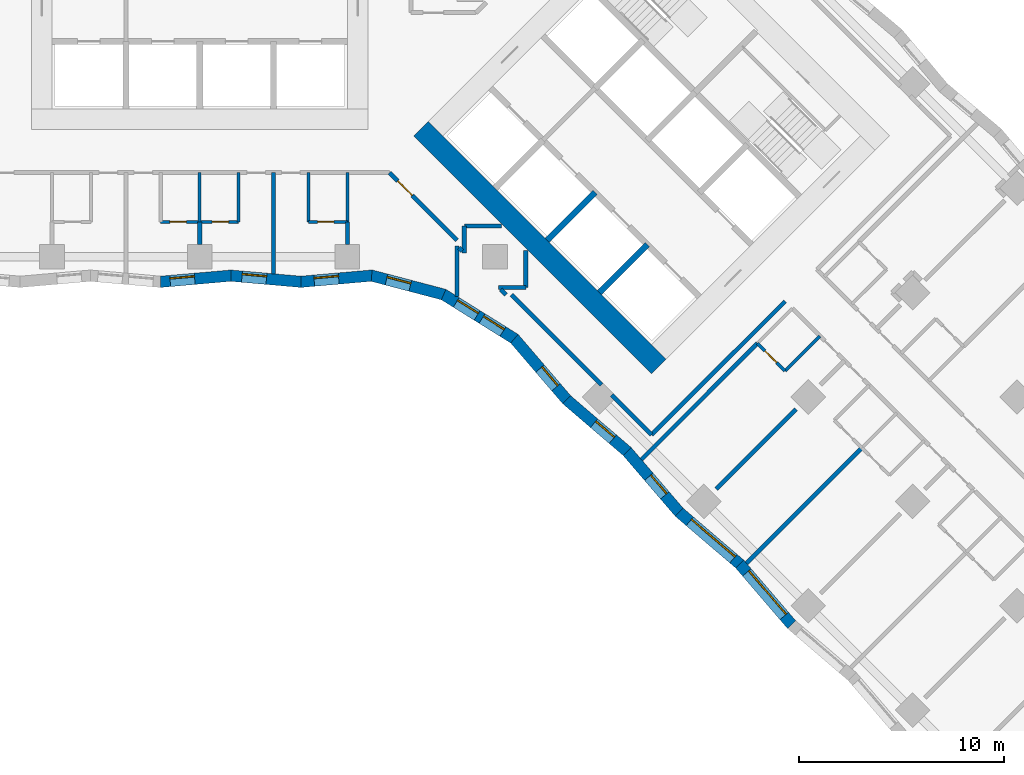
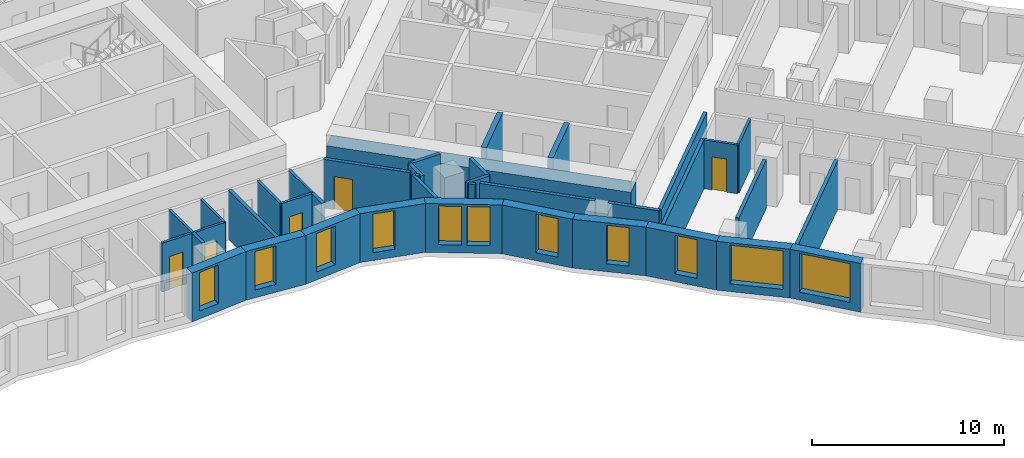
# One storey, part 7 of 15: 38 walls, 11 windows, 5 doors, 16 openings.
"""IFC4 building model written with IfcOpenShell, lengths in metres."""

from ifc_helpers import new_model, si_unit, direction, frame, frame_2d, origin, place, context, subcontext, project, spatial, polyline, rectangle, outline, extrude, material, layer, layer_set, type_object, element, fill, save


model = new_model("IFC4")

# Units and contexts
model_context = context("Model", 3, precision=1e-05, world=origin(), true_north=direction((0.0, 1.0)))
body_context = subcontext(model_context, "Body", "Model", "MODEL_VIEW")
ifc_project = project(units=[si_unit("LENGTHUNIT", "METRE"), si_unit("AREAUNIT", "SQUARE_METRE"), si_unit("VOLUMEUNIT", "CUBIC_METRE"), si_unit("PLANEANGLEUNIT", "RADIAN"), si_unit("MASSUNIT", "GRAM", prefix="KILO")], contexts=[model_context])

# Site, building, storey
site_placement = place(None, origin())
site = spatial("IfcSite", under=ifc_project, at=site_placement, CompositionType="ELEMENT")
building_placement = place(site_placement, origin())
building = spatial("IfcBuilding", under=site, at=building_placement, Name="Windrow Commons", CompositionType="ELEMENT")
storey_placement = place(building_placement, frame((0.0, 0.0, 27.0)))
storey = spatial("IfcBuildingStorey", under=building, at=storey_placement, Name="L06", CompositionType="ELEMENT", Elevation=27.0)

# Wall, opening, window
ifc_material_1 = material(Name="Brick masonry, red clay brick", Category="masonry")
ifc_layer_1 = layer(ifc_material_1, 0.55)
ifc_layer_set_1 = layer_set([ifc_layer_1], Name="Brick facade wall 550")
wall_type_1 = type_object("IfcWallType", Name="Brick facade wall 550", PredefinedType="SOLIDWALL", material=ifc_layer_set_1)
wall_1_placement = place(storey_placement, frame((62.8916, 41.9761, 0.0), z_axis=(0.0, 0.0, 1.0), x_axis=(0.9961809441, 0.0873128092, 0.0)))
wall_1 = element("IfcWall", 1, at=wall_1_placement, inside=storey, type_object=wall_type_1, Name="Brick facade wall L06 50", PredefinedType="SOLIDWALL", context=body_context, shape_type="SweptSolid", body=[
    extrude(outline(polyline([(-0.0241, -0.275), (3.4119, -0.275), (3.4601, 0.275), (0.0241, 0.275), (-0.0241, -0.275)])), origin(), (0.0, 0.0, 1.0), 3.1),
])
opening_1_placement = place(wall_1_placement, frame((0.4699, 0.0, 0.5)))
opening_1 = element("IfcOpeningElement", 2, at=opening_1_placement, cuts=wall_1, Name="Opening W7D", PredefinedType="OPENING", context=body_context, shape_type="SweptSolid", body=[
    extrude(rectangle(XDim=1.2, YDim=2.45, at=frame_2d((0.6, 1.225))), frame((0.0, 0.285, 0.0), z_axis=(0.0, -1.0, 0.0), x_axis=(1.0, 0.0, 0.0)), (0.0, 0.0, 1.0), 0.57),
])
ifc_material_2 = material(Name="Clear float glass in anodised aluminium frame", Category="aluminium")
window_type_1 = type_object("IfcWindowType", Name="Window W7 notch 1200x2450", PartitioningType="SINGLE_PANEL", PredefinedType="WINDOW", material=ifc_material_2)
window_1_placement = place(opening_1_placement, origin())
window_1 = element("IfcWindow", 3, at=window_1_placement, inside=storey, type_object=window_type_1, Name="Window L06 50.1", OverallHeight=2.45, OverallWidth=1.2, PartitioningType="SINGLE_PANEL", PredefinedType="WINDOW", context=body_context, shape_type="SweptSolid", body=[
    extrude(rectangle(XDim=1.2, YDim=2.45, at=frame_2d((0.6, 1.225))), frame((0.0, 0.155, 0.0), z_axis=(0.0, -1.0, 0.0), x_axis=(1.0, 0.0, 0.0)), (0.0, 0.0, 1.0), 0.06),
])
fill(opening_1, window_1)

wall_2_placement = place(storey_placement, frame((66.3144, 42.2761, 0.0), z_axis=(0.0, 0.0, 1.0), x_axis=(0.996181166, -0.0873102778, 0.0)))
wall_2 = element("IfcWall", 4, at=wall_2_placement, inside=storey, type_object=wall_type_1, Name="Brick facade wall L06 51", PredefinedType="SOLIDWALL", context=body_context, shape_type="SweptSolid", body=[
    extrude(outline(polyline([(0.0241, -0.275), (3.4601, -0.275), (3.4119, 0.275), (-0.0241, 0.275), (0.0241, -0.275)])), origin(), (0.0, 0.0, 1.0), 3.1),
])
opening_2_placement = place(wall_2_placement, frame((0.5468, 0.0, 0.5)))
opening_2 = element("IfcOpeningElement", 5, at=opening_2_placement, cuts=wall_2, Name="Opening W7D", PredefinedType="OPENING", context=body_context, shape_type="SweptSolid", body=[
    extrude(rectangle(XDim=1.2, YDim=2.45, at=frame_2d((0.6, 1.225))), frame((0.0, 0.285, 0.0), z_axis=(0.0, -1.0, 0.0), x_axis=(1.0, 0.0, 0.0)), (0.0, 0.0, 1.0), 0.57),
])
window_2_placement = place(opening_2_placement, origin())
window_2 = element("IfcWindow", 6, at=window_2_placement, inside=storey, type_object=window_type_1, Name="Window L06 51.1", OverallHeight=2.45, OverallWidth=1.2, PartitioningType="SINGLE_PANEL", PredefinedType="WINDOW", context=body_context, shape_type="SweptSolid", body=[
    extrude(rectangle(XDim=1.2, YDim=2.45, at=frame_2d((0.6, 1.225))), frame((0.0, 0.155, 0.0), z_axis=(0.0, -1.0, 0.0), x_axis=(1.0, 0.0, 0.0)), (0.0, 0.0, 1.0), 0.06),
])
fill(opening_2, window_2)

wall_3_placement = place(storey_placement, frame((69.7373, 41.9761, 0.0), z_axis=(0.0, 0.0, 1.0), x_axis=(0.9961831061, 0.0872881385, 0.0)))
wall_3 = element("IfcWall", 7, at=wall_3_placement, inside=storey, type_object=wall_type_1, Name="Brick facade wall L06 52", PredefinedType="SOLIDWALL", context=body_context, shape_type="SweptSolid", body=[
    extrude(outline(polyline([(-0.0241, -0.275), (3.4119, -0.275), (3.5076, 0.275), (0.0241, 0.275), (-0.0241, -0.275)])), origin(), (0.0, 0.0, 1.0), 3.1),
])
opening_3_placement = place(wall_3_placement, frame((0.6477, 0.0, 0.5)))
opening_3 = element("IfcOpeningElement", 8, at=opening_3_placement, cuts=wall_3, Name="Opening W7D", PredefinedType="OPENING", context=body_context, shape_type="SweptSolid", body=[
    extrude(rectangle(XDim=1.2, YDim=2.45, at=frame_2d((0.6, 1.225))), frame((0.0, 0.285, 0.0), z_axis=(0.0, -1.0, 0.0), x_axis=(1.0, 0.0, 0.0)), (0.0, 0.0, 1.0), 0.57),
])
window_3_placement = place(opening_3_placement, origin())
window_3 = element("IfcWindow", 9, at=window_3_placement, inside=storey, type_object=window_type_1, Name="Window L06 52.1", OverallHeight=2.45, OverallWidth=1.2, PartitioningType="SINGLE_PANEL", PredefinedType="WINDOW", context=body_context, shape_type="SweptSolid", body=[
    extrude(rectangle(XDim=1.2, YDim=2.45, at=frame_2d((0.6, 1.225))), frame((0.0, 0.155, 0.0), z_axis=(0.0, -1.0, 0.0), x_axis=(1.0, 0.0, 0.0)), (0.0, 0.0, 1.0), 0.06),
])
fill(opening_3, window_3)

wall_4_placement = place(storey_placement, frame((73.1839, 42.2781, 0.0), z_axis=(0.0, 0.0, 1.0), x_axis=(0.9671305585, -0.2542803232, 0.0)))
wall_4 = element("IfcWall", 10, at=wall_4_placement, inside=storey, type_object=wall_type_1, Name="Brick facade wall L06 53", PredefinedType="SOLIDWALL", context=body_context, shape_type="SweptSolid", body=[
    extrude(outline(polyline([(0.0478, -0.275), (3.5871, -0.275), (3.6703, 0.275), (-0.0478, 0.275), (0.0478, -0.275)])), origin(), (0.0, 0.0, 1.0), 3.1),
])
opening_4_placement = place(wall_4_placement, frame((0.7491, 0.0, 0.5)))
opening_4 = element("IfcOpeningElement", 11, at=opening_4_placement, cuts=wall_4, Name="Opening W7D", PredefinedType="OPENING", context=body_context, shape_type="SweptSolid", body=[
    extrude(rectangle(XDim=1.2, YDim=2.45, at=frame_2d((0.6, 1.225))), frame((0.0, 0.285, 0.0), z_axis=(0.0, -1.0, 0.0), x_axis=(1.0, 0.0, 0.0)), (0.0, 0.0, 1.0), 0.57),
])
window_4_placement = place(opening_4_placement, origin())
window_4 = element("IfcWindow", 12, at=window_4_placement, inside=storey, type_object=window_type_1, Name="Window L06 53.1", OverallHeight=2.45, OverallWidth=1.2, PartitioningType="SINGLE_PANEL", PredefinedType="WINDOW", context=body_context, shape_type="SweptSolid", body=[
    extrude(rectangle(XDim=1.2, YDim=2.45, at=frame_2d((0.6, 1.225))), frame((0.0, 0.155, 0.0), z_axis=(0.0, -1.0, 0.0), x_axis=(1.0, 0.0, 0.0)), (0.0, 0.0, 1.0), 0.06),
])
fill(opening_4, window_4)

# Wall, openings, windows
wall_5_placement = place(storey_placement, frame((76.6933, 41.3554, 0.0), z_axis=(0.0, 0.0, 1.0), x_axis=(0.8485945184, -0.5290438009, 0.0)))
wall_5 = element("IfcWall", 13, at=wall_5_placement, inside=storey, type_object=wall_type_1, Name="Brick facade wall L06 54", PredefinedType="SOLIDWALL", context=body_context, shape_type="SweptSolid", body=[
    extrude(outline(polyline([(0.0416, -0.275), (4.0247, -0.275), (4.1093, 0.275), (-0.0416, 0.275), (0.0416, -0.275)])), origin(), (0.0, 0.0, 1.0), 3.1),
])
opening_5_placement = place(wall_5_placement, frame((0.7244, 0.0, 0.5)))
opening_5 = element("IfcOpeningElement", 14, at=opening_5_placement, cuts=wall_5, Name="Opening W7D", PredefinedType="OPENING", context=body_context, shape_type="SweptSolid", body=[
    extrude(rectangle(XDim=1.2, YDim=2.45, at=frame_2d((0.6, 1.225))), frame((0.0, 0.285, 0.0), z_axis=(0.0, -1.0, 0.0), x_axis=(1.0, 0.0, 0.0)), (0.0, 0.0, 1.0), 0.57),
])
opening_6_placement = place(wall_5_placement, frame((2.2079, 0.0, 0.5)))
opening_6 = element("IfcOpeningElement", 15, at=opening_6_placement, cuts=wall_5, Name="Opening W7D", PredefinedType="OPENING", context=body_context, shape_type="SweptSolid", body=[
    extrude(rectangle(XDim=1.2, YDim=2.45, at=frame_2d((0.6, 1.225))), frame((0.0, 0.285, 0.0), z_axis=(0.0, -1.0, 0.0), x_axis=(1.0, 0.0, 0.0)), (0.0, 0.0, 1.0), 0.57),
])
window_5_placement = place(opening_5_placement, origin())
window_5 = element("IfcWindow", 16, at=window_5_placement, inside=storey, type_object=window_type_1, Name="Window L06 54.1", OverallHeight=2.45, OverallWidth=1.2, PartitioningType="SINGLE_PANEL", PredefinedType="WINDOW", context=body_context, shape_type="SweptSolid", body=[
    extrude(rectangle(XDim=1.2, YDim=2.45, at=frame_2d((0.6, 1.225))), frame((0.0, 0.155, 0.0), z_axis=(0.0, -1.0, 0.0), x_axis=(1.0, 0.0, 0.0)), (0.0, 0.0, 1.0), 0.06),
])
fill(opening_5, window_5)
window_6_placement = place(opening_6_placement, origin())
window_6 = element("IfcWindow", 17, at=window_6_placement, inside=storey, type_object=window_type_1, Name="Window L06 54.2", OverallHeight=2.45, OverallWidth=1.2, PartitioningType="SINGLE_PANEL", PredefinedType="WINDOW", context=body_context, shape_type="SweptSolid", body=[
    extrude(rectangle(XDim=1.2, YDim=2.45, at=frame_2d((0.6, 1.225))), frame((0.0, 0.155, 0.0), z_axis=(0.0, -1.0, 0.0), x_axis=(1.0, 0.0, 0.0)), (0.0, 0.0, 1.0), 0.06),
])
fill(opening_6, window_6)

# Wall, opening, window
wall_6_placement = place(storey_placement, frame((80.1445, 39.2038, 0.0), z_axis=(0.0, 0.0, 1.0), x_axis=(0.6504882403, -0.7595163258, 0.0)))
wall_6 = element("IfcWall", 18, at=wall_6_placement, inside=storey, type_object=wall_type_1, Name="Brick facade wall L06 55", PredefinedType="SOLIDWALL", context=body_context, shape_type="SweptSolid", body=[
    extrude(outline(polyline([(0.0423, -0.275), (3.9339, -0.275), (3.8914, 0.275), (-0.0423, 0.275), (0.0423, -0.275)])), origin(), (0.0, 0.0, 1.0), 3.1),
])
opening_7_placement = place(wall_6_placement, frame((1.9186, 0.0, 0.5)))
opening_7 = element("IfcOpeningElement", 19, at=opening_7_placement, cuts=wall_6, Name="Opening W7D", PredefinedType="OPENING", context=body_context, shape_type="SweptSolid", body=[
    extrude(rectangle(XDim=1.2, YDim=2.45, at=frame_2d((0.6, 1.225))), frame((0.0, 0.285, 0.0), z_axis=(0.0, -1.0, 0.0), x_axis=(1.0, 0.0, 0.0)), (0.0, 0.0, 1.0), 0.57),
])
window_7_placement = place(opening_7_placement, origin())
window_7 = element("IfcWindow", 20, at=window_7_placement, inside=storey, type_object=window_type_1, Name="Window L06 55.1", OverallHeight=2.45, OverallWidth=1.2, PartitioningType="SINGLE_PANEL", PredefinedType="WINDOW", context=body_context, shape_type="SweptSolid", body=[
    extrude(rectangle(XDim=1.2, YDim=2.45, at=frame_2d((0.6, 1.225))), frame((0.0, 0.155, 0.0), z_axis=(0.0, -1.0, 0.0), x_axis=(1.0, 0.0, 0.0)), (0.0, 0.0, 1.0), 0.06),
])
fill(opening_7, window_7)

wall_7_placement = place(storey_placement, frame((82.6897, 36.232, 0.0), z_axis=(0.0, 0.0, 1.0), x_axis=(0.7595050452, -0.6505014115, 0.0)))
wall_7 = element("IfcWall", 21, at=wall_7_placement, inside=storey, type_object=wall_type_1, Name="Brick facade wall L06 56", PredefinedType="SOLIDWALL", context=body_context, shape_type="SweptSolid", body=[
    extrude(outline(polyline([(-0.0213, -0.275), (3.8704, -0.275), (3.9129, 0.275), (0.0213, 0.275), (-0.0213, -0.275)])), origin(), (0.0, 0.0, 1.0), 3.1),
])
opening_8_placement = place(wall_7_placement, frame((1.7677, 0.0, 0.5)))
opening_8 = element("IfcOpeningElement", 22, at=opening_8_placement, cuts=wall_7, Name="Opening W7D", PredefinedType="OPENING", context=body_context, shape_type="SweptSolid", body=[
    extrude(rectangle(XDim=1.2, YDim=2.45, at=frame_2d((0.6, 1.225))), frame((0.0, 0.285, 0.0), z_axis=(0.0, -1.0, 0.0), x_axis=(1.0, 0.0, 0.0)), (0.0, 0.0, 1.0), 0.57),
])
window_8_placement = place(opening_8_placement, origin())
window_8 = element("IfcWindow", 23, at=window_8_placement, inside=storey, type_object=window_type_1, Name="Window L06 56.1", OverallHeight=2.45, OverallWidth=1.2, PartitioningType="SINGLE_PANEL", PredefinedType="WINDOW", context=body_context, shape_type="SweptSolid", body=[
    extrude(rectangle(XDim=1.2, YDim=2.45, at=frame_2d((0.6, 1.225))), frame((0.0, 0.155, 0.0), z_axis=(0.0, -1.0, 0.0), x_axis=(1.0, 0.0, 0.0)), (0.0, 0.0, 1.0), 0.06),
])
fill(opening_8, window_8)

wall_8_placement = place(storey_placement, frame((85.6454, 33.7005, 0.0), z_axis=(0.0, 0.0, 1.0), x_axis=(0.6505014115, -0.7595050452, 0.0)))
wall_8 = element("IfcWall", 24, at=wall_8_placement, inside=storey, type_object=wall_type_1, Name="Brick facade wall L06 57", PredefinedType="SOLIDWALL", context=body_context, shape_type="SweptSolid", body=[
    extrude(outline(polyline([(0.0213, -0.275), (3.9129, -0.275), (3.8704, 0.275), (-0.0213, 0.275), (0.0213, -0.275)])), origin(), (0.0, 0.0, 1.0), 3.1),
])
opening_9_placement = place(wall_8_placement, frame((1.6166, 0.0, 0.5)))
opening_9 = element("IfcOpeningElement", 25, at=opening_9_placement, cuts=wall_8, Name="Opening W7D", PredefinedType="OPENING", context=body_context, shape_type="SweptSolid", body=[
    extrude(rectangle(XDim=1.2, YDim=2.45, at=frame_2d((0.6, 1.225))), frame((0.0, 0.285, 0.0), z_axis=(0.0, -1.0, 0.0), x_axis=(1.0, 0.0, 0.0)), (0.0, 0.0, 1.0), 0.57),
])
window_9_placement = place(opening_9_placement, origin())
window_9 = element("IfcWindow", 26, at=window_9_placement, inside=storey, type_object=window_type_1, Name="Window L06 57.1", OverallHeight=2.45, OverallWidth=1.2, PartitioningType="SINGLE_PANEL", PredefinedType="WINDOW", context=body_context, shape_type="SweptSolid", body=[
    extrude(rectangle(XDim=1.2, YDim=2.45, at=frame_2d((0.6, 1.225))), frame((0.0, 0.155, 0.0), z_axis=(0.0, -1.0, 0.0), x_axis=(1.0, 0.0, 0.0)), (0.0, 0.0, 1.0), 0.06),
])
fill(opening_9, window_9)

wall_9_placement = place(storey_placement, frame((88.1769, 30.7448, 0.0), z_axis=(0.0, 0.0, 1.0), x_axis=(0.7595159183, -0.6504887161, 0.0)))
wall_9 = element("IfcWall", 27, at=wall_9_placement, inside=storey, type_object=wall_type_1, Name="Brick facade wall L06 58", PredefinedType="SOLIDWALL", context=body_context, shape_type="SweptSolid", body=[
    extrude(outline(polyline([(-0.0213, -0.275), (3.8704, -0.275), (3.9129, 0.275), (0.0213, 0.275), (-0.0213, -0.275)])), origin(), (0.0, 0.0, 1.0), 3.1),
])
opening_10_placement = place(wall_9_placement, frame((0.6868, 0.0, 0.5)))
opening_10 = element("IfcOpeningElement", 28, at=opening_10_placement, cuts=wall_9, Name="Opening W1T", PredefinedType="OPENING", context=body_context, shape_type="SweptSolid", body=[
    extrude(rectangle(XDim=2.8, YDim=2.45, at=frame_2d((1.4, 1.225))), frame((0.0, 0.285, 0.0), z_axis=(0.0, -1.0, 0.0), x_axis=(1.0, 0.0, 0.0)), (0.0, 0.0, 1.0), 0.57),
])
ifc_material_3 = material(Name="Clear float glass in anodised aluminium frame", Category="aluminium")
window_type_2 = type_object("IfcWindowType", Name="Window W1T bedroom 2800x2450", PartitioningType="SINGLE_PANEL", PredefinedType="WINDOW", material=ifc_material_3)
window_10_placement = place(opening_10_placement, origin())
window_10 = element("IfcWindow", 29, at=window_10_placement, inside=storey, type_object=window_type_2, Name="Window L06 58.1", OverallHeight=2.45, OverallWidth=2.8, PartitioningType="SINGLE_PANEL", PredefinedType="WINDOW", context=body_context, shape_type="SweptSolid", body=[
    extrude(rectangle(XDim=2.8, YDim=2.45, at=frame_2d((1.4, 1.225))), frame((0.0, 0.155, 0.0), z_axis=(0.0, -1.0, 0.0), x_axis=(1.0, 0.0, 0.0)), (0.0, 0.0, 1.0), 0.06),
])
fill(opening_10, window_10)

wall_10_placement = place(storey_placement, frame((91.1327, 28.2133, 0.0), z_axis=(0.0, 0.0, 1.0), x_axis=(0.6504887161, -0.7595159183, 0.0)))
wall_10 = element("IfcWall", 30, at=wall_10_placement, inside=storey, type_object=wall_type_1, Name="Brick facade wall L06 59", PredefinedType="SOLIDWALL", context=body_context, shape_type="SweptSolid", body=[
    extrude(outline(polyline([(0.0213, -0.275), (3.9129, -0.275), (3.8704, 0.275), (-0.0213, 0.275), (0.0213, -0.275)])), origin(), (0.0, 0.0, 1.0), 3.1),
])
opening_11_placement = place(wall_10_placement, frame((0.5352, 0.0, 0.5)))
opening_11 = element("IfcOpeningElement", 31, at=opening_11_placement, cuts=wall_10, Name="Opening W1T", PredefinedType="OPENING", context=body_context, shape_type="SweptSolid", body=[
    extrude(rectangle(XDim=2.8, YDim=2.45, at=frame_2d((1.4, 1.225))), frame((0.0, 0.285, 0.0), z_axis=(0.0, -1.0, 0.0), x_axis=(1.0, 0.0, 0.0)), (0.0, 0.0, 1.0), 0.57),
])
window_11_placement = place(opening_11_placement, origin())
window_11 = element("IfcWindow", 32, at=window_11_placement, inside=storey, type_object=window_type_2, Name="Window L06 59.1", OverallHeight=2.45, OverallWidth=2.8, PartitioningType="SINGLE_PANEL", PredefinedType="WINDOW", context=body_context, shape_type="SweptSolid", body=[
    extrude(rectangle(XDim=2.8, YDim=2.45, at=frame_2d((1.4, 1.225))), frame((0.0, 0.155, 0.0), z_axis=(0.0, -1.0, 0.0), x_axis=(1.0, 0.0, 0.0)), (0.0, 0.0, 1.0), 0.06),
])
fill(opening_11, window_11)

# Walls
ifc_material_4 = material(Name="Blockwork partition", Category="masonry")
ifc_layer_2 = layer(ifc_material_4, 0.2)
ifc_layer_set_2 = layer_set([ifc_layer_2], Name="IW-CORRIDOR-200")
wall_type_2 = type_object("IfcWallType", Name="IW-CORRIDOR-200", PredefinedType="PARTITIONING", material=ifc_layer_set_2)
wall_11_placement = place(storey_placement, frame((86.8381, 34.5219, 0.0), z_axis=(0.0, 0.0, 1.0), x_axis=(0.7072154749, 0.7069980708, 0.0)))
element("IfcWall", 33, at=wall_11_placement, inside=storey, type_object=wall_type_2, Name="W-L06-W009", PredefinedType="PARTITIONING", context=body_context, shape_type="SweptSolid", body=[
    extrude(rectangle(XDim=9.1995, YDim=0.2, at=frame_2d((4.5998, 0.0))), origin(), (0.0, 0.0, 1.0), 3.1),
])
wall_12_placement = place(storey_placement, frame((80.0068, 41.3468, 0.0), z_axis=(0.0, 0.0, 1.0), x_axis=(0.7071067812, -0.7071067812, 0.0)))
element("IfcWall", 34, at=wall_12_placement, inside=storey, type_object=wall_type_2, Name="W-L06-W027", PredefinedType="PARTITIONING", context=body_context, shape_type="SweptSolid", body=[
    extrude(rectangle(XDim=6.2056, YDim=0.2, at=frame_2d((3.1028, 0.0))), origin(), (0.0, 0.0, 1.0), 3.1),
])

# Wall, opening, door
wall_13_placement = place(storey_placement, frame((74.0568, 47.2968, 0.0), z_axis=(0.0, 0.0, 1.0), x_axis=(0.7071067812, -0.7071067812, 0.0)))
wall_13 = element("IfcWall", 35, at=wall_13_placement, inside=storey, type_object=wall_type_2, Name="W-L06-W055", PredefinedType="PARTITIONING", context=body_context, shape_type="SweptSolid", body=[
    extrude(rectangle(XDim=4.6528, YDim=0.2, at=frame_2d((2.3264, 0.0))), origin(), (0.0, 0.0, 1.0), 3.1),
])
opening_12_placement = place(wall_13_placement, frame((0.5704, 0.0, 0.0)))
opening_12 = element("IfcOpeningElement", 36, at=opening_12_placement, cuts=wall_13, Name="Opening D310F", PredefinedType="OPENING", context=body_context, shape_type="SweptSolid", body=[
    extrude(rectangle(XDim=1.0, YDim=2.1, at=frame_2d((0.5, 1.05))), frame((0.0, 0.11, 0.0), z_axis=(0.0, -1.0, 0.0), x_axis=(1.0, 0.0, 0.0)), (0.0, 0.0, 1.0), 0.22),
])
ifc_material_5 = material(Name="Timber door leaf", Category="wood")
door_type_1 = type_object("IfcDoorType", Name="DT-AMENITY-1000", OperationType="SINGLE_SWING_LEFT", PredefinedType="DOOR", material=ifc_material_5)
door_1_placement = place(opening_12_placement, origin())
door_1 = element("IfcDoor", 37, at=door_1_placement, inside=storey, type_object=door_type_1, Name="D-L06-D047", OperationType="SINGLE_SWING_LEFT", OverallHeight=2.1, OverallWidth=1.0, PredefinedType="DOOR", context=body_context, shape_type="SweptSolid", body=[
    extrude(rectangle(XDim=1.0, YDim=2.1, at=frame_2d((0.5, 1.05))), frame((0.0, 0.025, 0.0), z_axis=(0.0, -1.0, 0.0), x_axis=(1.0, 0.0, 0.0)), (0.0, 0.0, 1.0), 0.05),
])
fill(opening_12, door_1)

# Walls
wall_14_placement = place(storey_placement, frame((84.8888, 36.4648, 0.0), z_axis=(0.0, 0.0, 1.0), x_axis=(0.7071067812, -0.7071067812, 0.0)))
element("IfcWall", 38, at=wall_14_placement, inside=storey, type_object=wall_type_2, Name="W-L06-W073", PredefinedType="PARTITIONING", context=body_context, shape_type="SweptSolid", body=[
    extrude(rectangle(XDim=2.7492, YDim=0.2, at=frame_2d((1.3746, 0.0))), origin(), (0.0, 0.0, 1.0), 3.1),
])
for number, where, z_axis, x_axis, name in (
    (39, (77.702, 44.7, 0.0), (0.0, 0.0, 1.0), (1.0, 0.0, 0.0), "W-L06-W157"),
    (40, (80.7, 41.702, 0.0), (0.0, 0.0, 1.0), (0.0, 1.0, 0.0), "W-L06-W158"),
):
    element("IfcWall", number, at=place(storey_placement, frame(where, z_axis=z_axis, x_axis=x_axis)), inside=storey, type_object=wall_type_2, Name=name, PredefinedType="PARTITIONING", context=body_context, shape_type="SweptSolid", body=[
        extrude(rectangle(XDim=1.814, YDim=0.2, at=frame_2d((0.907, 0.0))), origin(), (0.0, 0.0, 1.0), 3.1),
    ])
for number, where, z_axis, x_axis, name in (
    (41, (77.7, 43.378, 0.0), (0.0, 0.0, 1.0), (0.0, 1.0, 0.0), "W-L06-W174"),
    (42, (79.378, 41.7, 0.0), (0.0, 0.0, 1.0), (1.0, 0.0, 0.0), "W-L06-W175"),
):
    element("IfcWall", number, at=place(storey_placement, frame(where, z_axis=z_axis, x_axis=x_axis)), inside=storey, type_object=wall_type_2, Name=name, PredefinedType="PARTITIONING", context=body_context, shape_type="SweptSolid", body=[
        extrude(rectangle(XDim=1.322, YDim=0.2, at=frame_2d((0.661, 0.0))), origin(), (0.0, 0.0, 1.0), 3.1),
    ])
wall_15_placement = place(storey_placement, frame((77.4454, 43.6396, 0.0), z_axis=(0.0, 0.0, 1.0), x_axis=(0.7071067812, -0.7071067812, 0.0)))
element("IfcWall", 43, at=wall_15_placement, inside=storey, type_object=wall_type_2, Name="W-L06-W209", PredefinedType="PARTITIONING", context=body_context, shape_type="SweptSolid", body=[
    extrude(rectangle(XDim=0.225, YDim=0.2, at=frame_2d((0.1125, 0.0))), origin(), (0.0, 0.0, 1.0), 3.1),
])
wall_16_placement = place(storey_placement, frame((79.4805, 41.6045, 0.0), z_axis=(0.0, 0.0, 1.0), x_axis=(0.7071067812, -0.7071067812, 0.0)))
element("IfcWall", 44, at=wall_16_placement, inside=storey, type_object=wall_type_2, Name="W-L06-W210", PredefinedType="PARTITIONING", context=body_context, shape_type="SweptSolid", body=[
    extrude(rectangle(XDim=0.355, YDim=0.2, at=frame_2d((0.1775, 0.0))), origin(), (0.0, 0.0, 1.0), 3.1),
])

# Wall, openings, doors
ifc_material_6 = material(Name="Blockwork partition", Category="masonry")
ifc_layer_3 = layer(ifc_material_6, 0.15)
ifc_layer_set_3 = layer_set([ifc_layer_3], Name="IW-ENSUITE-150")
wall_type_3 = type_object("IfcWallType", Name="IW-ENSUITE-150", PredefinedType="PARTITIONING", material=ifc_layer_set_3)
wall_17_placement = place(storey_placement, frame((62.9, 44.9, 0.0), z_axis=(0.0, 0.0, 1.0), x_axis=(1.0, 0.0, 0.0)))
wall_17 = element("IfcWall", 45, at=wall_17_placement, inside=storey, type_object=wall_type_3, Name="W-L06-W061", PredefinedType="PARTITIONING", context=body_context, shape_type="SweptSolid", body=[
    extrude(rectangle(XDim=3.8, YDim=0.15, at=frame_2d((1.9, 0.0))), origin(), (0.0, 0.0, 1.0), 3.1),
])
opening_13_placement = place(wall_17_placement, frame((0.4476, 0.0, 0.0)))
opening_13 = element("IfcOpeningElement", 46, at=opening_13_placement, cuts=wall_17, Name="Opening D208N", PredefinedType="OPENING", context=body_context, shape_type="SweptSolid", body=[
    extrude(rectangle(XDim=0.8, YDim=2.1, at=frame_2d((0.4, 1.05))), frame((0.0, 0.085, 0.0), z_axis=(0.0, -1.0, 0.0), x_axis=(1.0, 0.0, 0.0)), (0.0, 0.0, 1.0), 0.17),
])
opening_14_placement = place(wall_17_placement, frame((2.5069, 0.0, 0.0)))
opening_14 = element("IfcOpeningElement", 47, at=opening_14_placement, cuts=wall_17, Name="Opening D208N", PredefinedType="OPENING", context=body_context, shape_type="SweptSolid", body=[
    extrude(rectangle(XDim=0.8, YDim=2.1, at=frame_2d((0.4, 1.05))), frame((0.0, 0.085, 0.0), z_axis=(0.0, -1.0, 0.0), x_axis=(1.0, 0.0, 0.0)), (0.0, 0.0, 1.0), 0.17),
])
ifc_material_7 = material(Name="Timber door leaf", Category="wood")
door_type_2 = type_object("IfcDoorType", Name="DT-ENSUITE-800", OperationType="SINGLE_SWING_LEFT", PredefinedType="DOOR", material=ifc_material_7)
door_2_placement = place(opening_13_placement, origin())
door_2 = element("IfcDoor", 48, at=door_2_placement, inside=storey, type_object=door_type_2, Name="D-L06-D042", OperationType="SINGLE_SWING_RIGHT", OverallHeight=2.1, OverallWidth=0.8, PredefinedType="DOOR", context=body_context, shape_type="SweptSolid", body=[
    extrude(rectangle(XDim=0.8, YDim=2.1, at=frame_2d((0.4, 1.05))), frame((0.0, 0.025, 0.0), z_axis=(0.0, -1.0, 0.0), x_axis=(1.0, 0.0, 0.0)), (0.0, 0.0, 1.0), 0.05),
])
fill(opening_13, door_2)
door_3_placement = place(opening_14_placement, origin())
door_3 = element("IfcDoor", 49, at=door_3_placement, inside=storey, type_object=door_type_2, Name="D-L06-D044", OperationType="SINGLE_SWING_RIGHT", OverallHeight=2.1, OverallWidth=0.8, PredefinedType="DOOR", context=body_context, shape_type="SweptSolid", body=[
    extrude(rectangle(XDim=0.8, YDim=2.1, at=frame_2d((0.4, 1.05))), frame((0.0, 0.025, 0.0), z_axis=(0.0, -1.0, 0.0), x_axis=(1.0, 0.0, 0.0)), (0.0, 0.0, 1.0), 0.05),
])
fill(opening_14, door_3)

# Walls
wall_18_placement = place(storey_placement, frame((93.3409, 37.6351, 0.0), z_axis=(0.0, 0.0, 1.0), x_axis=(0.7071067812, 0.7071067812, 0.0)))
element("IfcWall", 50, at=wall_18_placement, inside=storey, type_object=wall_type_3, Name="W-L06-W078", PredefinedType="PARTITIONING", context=body_context, shape_type="SweptSolid", body=[
    extrude(rectangle(XDim=2.4013, YDim=0.15, at=frame_2d((1.2006, 0.0))), origin(), (0.0, 0.0, 1.0), 3.1),
])
for number, where, z_axis, x_axis, name in (
    (51, (66.7, 44.9, 0.0), (0.0, 0.0, 1.0), (0.0, 1.0, 0.0), "W-L06-W104"),
    (52, (64.8, 44.9, 0.0), (0.0, 0.0, 1.0), (0.0, 1.0, 0.0), "W-L06-W105"),
    (53, (70.1, 44.9, 0.0), (0.0, 0.0, 1.0), (0.0, 1.0, 0.0), "W-L06-W106"),
    (54, (72.0, 44.9, 0.0), (0.0, 0.0, 1.0), (0.0, 1.0, 0.0), "W-L06-W107"),
):
    element("IfcWall", number, at=place(storey_placement, frame(where, z_axis=z_axis, x_axis=x_axis)), inside=storey, type_object=wall_type_3, Name=name, PredefinedType="PARTITIONING", context=body_context, shape_type="SweptSolid", body=[
        extrude(rectangle(XDim=2.4, YDim=0.15, at=frame_2d((1.2, 0.0))), origin(), (0.0, 0.0, 1.0), 3.1),
    ])

# Wall, opening, door
wall_19_placement = place(storey_placement, frame((91.9952, 38.9752, 0.0), z_axis=(0.0, 0.0, 1.0), x_axis=(0.7071067812, -0.7071067812, 0.0)))
wall_19 = element("IfcWall", 55, at=wall_19_placement, inside=storey, type_object=wall_type_3, Name="W-L06-W138", PredefinedType="PARTITIONING", context=body_context, shape_type="SweptSolid", body=[
    extrude(rectangle(XDim=1.9007, YDim=0.15, at=frame_2d((0.9504, 0.0))), origin(), (0.0, 0.0, 1.0), 3.1),
])
opening_15_placement = place(wall_19_placement, frame((0.5226, 0.0, 0.0)))
opening_15 = element("IfcOpeningElement", 56, at=opening_15_placement, cuts=wall_19, Name="Opening D208N", PredefinedType="OPENING", context=body_context, shape_type="SweptSolid", body=[
    extrude(rectangle(XDim=0.8, YDim=2.1, at=frame_2d((0.4, 1.05))), frame((0.0, 0.085, 0.0), z_axis=(0.0, -1.0, 0.0), x_axis=(1.0, 0.0, 0.0)), (0.0, 0.0, 1.0), 0.17),
])
door_4_placement = place(opening_15_placement, origin())
door_4 = element("IfcDoor", 57, at=door_4_placement, inside=storey, type_object=door_type_2, Name="D-L06-D058", OperationType="SINGLE_SWING_RIGHT", OverallHeight=2.1, OverallWidth=0.8, PredefinedType="DOOR", context=body_context, shape_type="SweptSolid", body=[
    extrude(rectangle(XDim=0.8, YDim=2.1, at=frame_2d((0.4, 1.05))), frame((0.0, 0.025, 0.0), z_axis=(0.0, -1.0, 0.0), x_axis=(1.0, 0.0, 0.0)), (0.0, 0.0, 1.0), 0.05),
])
fill(opening_15, door_4)

wall_20_placement = place(storey_placement, frame((70.1, 44.9, 0.0), z_axis=(0.0, 0.0, 1.0), x_axis=(1.0, 0.0, 0.0)))
wall_20 = element("IfcWall", 58, at=wall_20_placement, inside=storey, type_object=wall_type_3, Name="W-L06-W143", PredefinedType="PARTITIONING", context=body_context, shape_type="SweptSolid", body=[
    extrude(rectangle(XDim=1.9, YDim=0.15, at=frame_2d((0.95, 0.0))), origin(), (0.0, 0.0, 1.0), 3.1),
])
opening_16_placement = place(wall_20_placement, frame((0.4476, 0.0, 0.0)))
opening_16 = element("IfcOpeningElement", 59, at=opening_16_placement, cuts=wall_20, Name="Opening D208N", PredefinedType="OPENING", context=body_context, shape_type="SweptSolid", body=[
    extrude(rectangle(XDim=0.8, YDim=2.1, at=frame_2d((0.4, 1.05))), frame((0.0, 0.085, 0.0), z_axis=(0.0, -1.0, 0.0), x_axis=(1.0, 0.0, 0.0)), (0.0, 0.0, 1.0), 0.17),
])
door_5_placement = place(opening_16_placement, origin())
door_5 = element("IfcDoor", 60, at=door_5_placement, inside=storey, type_object=door_type_2, Name="D-L06-D046", OperationType="SINGLE_SWING_RIGHT", OverallHeight=2.1, OverallWidth=0.8, PredefinedType="DOOR", context=body_context, shape_type="SweptSolid", body=[
    extrude(rectangle(XDim=0.8, YDim=2.1, at=frame_2d((0.4, 1.05))), frame((0.0, 0.025, 0.0), z_axis=(0.0, -1.0, 0.0), x_axis=(1.0, 0.0, 0.0)), (0.0, 0.0, 1.0), 0.05),
])
fill(opening_16, door_5)

# Walls
ifc_material_8 = material(Name="Blockwork partition", Category="masonry")
ifc_layer_4 = layer(ifc_material_8, 0.2)
ifc_layer_set_4 = layer_set([ifc_layer_4], Name="IW-PARTY-200")
wall_type_4 = type_object("IfcWallType", Name="IW-PARTY-200", PredefinedType="PARTITIONING", material=ifc_layer_set_4)
wall_21_placement = place(storey_placement, frame((86.3391, 33.3134, 0.0), z_axis=(0.0, 0.0, 1.0), x_axis=(0.7069756325, 0.7072379055, 0.0)))
element("IfcWall", 61, at=wall_21_placement, inside=storey, type_object=wall_type_4, Name="W-L06-W019", PredefinedType="PARTITIONING", context=body_context, shape_type="SweptSolid", body=[
    extrude(rectangle(XDim=8.0069, YDim=0.2, at=frame_2d((4.0034, 0.0))), origin(), (0.0, 0.0, 1.0), 3.1),
])
wall_22_placement = place(storey_placement, frame((91.4611, 28.2526, 0.0), z_axis=(0.0, 0.0, 1.0), x_axis=(0.707238618, 0.7069749198, 0.0)))
element("IfcWall", 62, at=wall_22_placement, inside=storey, type_object=wall_type_4, Name="W-L06-W022", PredefinedType="PARTITIONING", context=body_context, shape_type="SweptSolid", body=[
    extrude(rectangle(XDim=7.9636, YDim=0.2, at=frame_2d((3.9818, 0.0))), origin(), (0.0, 0.0, 1.0), 3.1),
])
wall_23_placement = place(storey_placement, frame((89.981, 31.871, 0.0), z_axis=(0.0, 0.0, 1.0), x_axis=(0.7071067812, 0.7071067812, 0.0)))
element("IfcWall", 63, at=wall_23_placement, inside=storey, type_object=wall_type_4, Name="W-L06-W042", PredefinedType="PARTITIONING", context=body_context, shape_type="SweptSolid", body=[
    extrude(rectangle(XDim=5.5041, YDim=0.2, at=frame_2d((2.7521, 0.0))), origin(), (0.0, 0.0, 1.0), 3.1),
])
wall_24_placement = place(storey_placement, frame((68.4, 42.3693, 0.0), z_axis=(0.0, 0.0, 1.0), x_axis=(0.0, 1.0, 0.0)))
element("IfcWall", 64, at=wall_24_placement, inside=storey, type_object=wall_type_4, Name="W-L06-W049", PredefinedType="PARTITIONING", context=body_context, shape_type="SweptSolid", body=[
    extrude(rectangle(XDim=4.9307, YDim=0.2, at=frame_2d((2.4653, 0.0))), origin(), (0.0, 0.0, 1.0), 3.1),
])
wall_25_placement = place(storey_placement, frame((77.35, 41.27, 0.0), z_axis=(0.0, 0.0, 1.0), x_axis=(0.0, 1.0, 0.0)))
element("IfcWall", 65, at=wall_25_placement, inside=storey, type_object=wall_type_4, Name="W-L06-W077", PredefinedType="PARTITIONING", context=body_context, shape_type="SweptSolid", body=[
    extrude(rectangle(XDim=2.458, YDim=0.2, at=frame_2d((1.229, 0.0))), origin(), (0.0, 0.0, 1.0), 3.1),
])
for number, where, z_axis, x_axis, name in (
    (66, (64.8, 43.8, 0.0), (0.0, 0.0, 1.0), (0.0, 1.0, 0.0), "W-L06-W185"),
    (67, (72.0, 43.8, 0.0), (0.0, 0.0, 1.0), (0.0, 1.0, 0.0), "W-L06-W186"),
):
    element("IfcWall", number, at=place(storey_placement, frame(where, z_axis=z_axis, x_axis=x_axis)), inside=storey, type_object=wall_type_4, Name=name, PredefinedType="PARTITIONING", context=body_context, shape_type="SweptSolid", body=[
        extrude(rectangle(XDim=1.1, YDim=0.2, at=frame_2d((0.55, 0.0))), origin(), (0.0, 0.0, 1.0), 3.1),
    ])
ifc_material_9 = material(Name="Concrete C60/75", Category="concrete")
ifc_layer_5 = layer(ifc_material_9, 1.0)
ifc_layer_set_5 = layer_set([ifc_layer_5], Name="RC CORE WALL 1000 C60/75")
wall_type_5 = type_object("IfcWallType", Name="RC CORE WALL 1000 C60/75", PredefinedType="SHEAR", material=ifc_layer_set_5)
wall_26_placement = place(storey_placement, frame((75.5938, 49.4433, -0.3), z_axis=(0.0, 0.0, 1.0), x_axis=(0.7071037324, -0.70710983, 0.0)))
element("IfcWall", 68, at=wall_26_placement, inside=storey, type_object=wall_type_5, Name="Core B wall outer-S", PredefinedType="SHEAR", context=body_context, shape_type="SweptSolid", body=[
    extrude(rectangle(XDim=16.4, YDim=1.0, at=frame_2d((8.2, 0.0))), origin(), (0.0, 0.0, 1.0), 2.7),
])
ifc_material_10 = material(Name="Concrete C60/75", Category="concrete")
ifc_layer_6 = layer(ifc_material_10, 0.3)
ifc_layer_set_6 = layer_set([ifc_layer_6], Name="RC SHAFT WALL 300 C60/75")
wall_type_6 = type_object("IfcWallType", Name="RC SHAFT WALL 300 C60/75", PredefinedType="SOLIDWALL", material=ifc_layer_set_6)
for number, where, z_axis, x_axis, name in (
    (69, (81.7456, 43.9986, 0.0), (0.0, 0.0, 1.0), (0.7071067812, 0.7071067812, 0.0), "Core B wall shaft-S2"),
    (70, (84.2912, 41.453, 0.0), (0.0, 0.0, 1.0), (0.7071067812, 0.7071067812, 0.0), "Core B wall shaft-S3"),
):
    element("IfcWall", number, at=place(storey_placement, frame(where, z_axis=z_axis, x_axis=x_axis)), inside=storey, type_object=wall_type_6, Name=name, PredefinedType="SOLIDWALL", context=body_context, shape_type="SweptSolid", body=[
        extrude(rectangle(XDim=3.2999, YDim=0.3, at=frame_2d((1.65, 0.0))), origin(), (0.0, 0.0, 1.0), 3.1),
    ])

save(model, "model.ifc")
